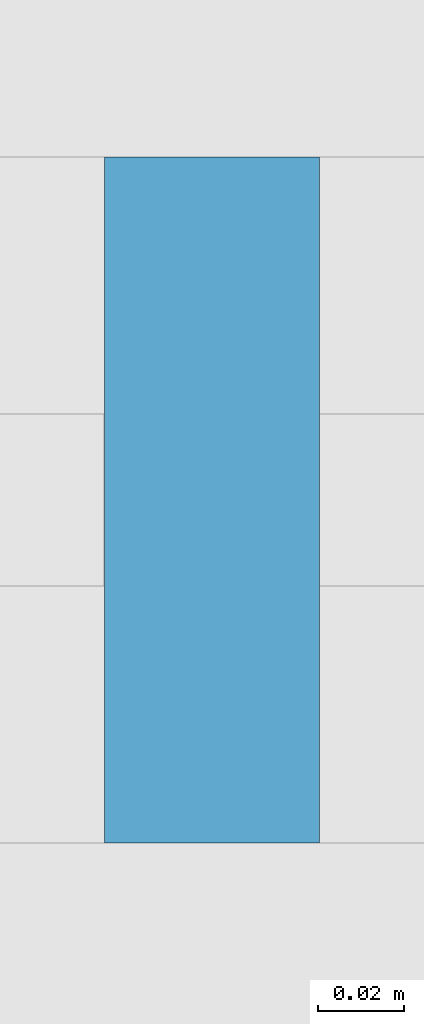
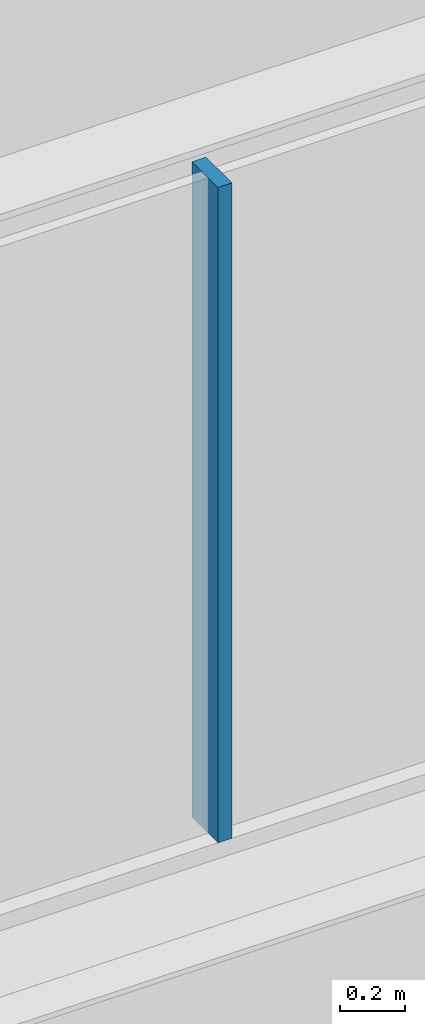
# One storey, part 6 of 12: 1 member, 1 element without a shape of its own.
"""IFC4 building model written with IfcOpenShell, lengths in metres."""

from ifc_helpers import new_model, si_unit, direction, frame, origin, origin_2d, place, context, subcontext, project, spatial, rectangle, extrude, material, material_profile, profile_set, type_object, element, aggregate, save


model = new_model("IFC4")

# Units and contexts
model_context = context("Model", 3, precision=1e-05, world=origin(), true_north=direction((0.0, 1.0)))
body_context = subcontext(model_context, "Body", "Model", "MODEL_VIEW")
ifc_project = project(units=[si_unit("LENGTHUNIT", "METRE"), si_unit("AREAUNIT", "SQUARE_METRE"), si_unit("VOLUMEUNIT", "CUBIC_METRE"), si_unit("PLANEANGLEUNIT", "RADIAN"), si_unit("MASSUNIT", "GRAM", prefix="KILO")], contexts=[model_context])

# Site, building, storey
site_placement = place(None, origin())
site = spatial("IfcSite", under=ifc_project, at=site_placement, CompositionType="ELEMENT")
building_placement = place(site_placement, origin())
building = spatial("IfcBuilding", under=site, at=building_placement, Name="Baori Bourse Tower", CompositionType="ELEMENT")
storey_placement = place(building_placement, frame((0.0, 0.0, 374.300048828125)))
storey = spatial("IfcBuildingStorey", under=building, at=storey_placement, Name="L84", CompositionType="ELEMENT", Elevation=374.300048828125)

# Curtain wall, member
ifc_material_1 = material(Name="Pale anodised aluminium", Category="aluminium")
curtain_wall_type = type_object("IfcCurtainWallType", Name="CW3 Curtain wall", PredefinedType="NOTDEFINED", material=ifc_material_1)
curtain_wall_placement = place(storey_placement, origin())
curtain_wall = element("IfcCurtainWall", 1, at=curtain_wall_placement, inside=storey, type_object=curtain_wall_type, Name="Curtain wall CW3 L84 1", PredefinedType="NOTDEFINED")
ifc_material_2 = material(Name="Pale anodised aluminium", Category="aluminium")
ifc_material_profile = material_profile(ifc_material_2, rectangle(XDim=0.159912109375, YDim=0.050048828125, at=origin_2d()), Name="Mullion 50x160")
ifc_profile_set = profile_set([ifc_material_profile], Name="Pale anodised aluminium")
member_type = type_object("IfcMemberType", Name="CW3 Curtain wall mullion", PredefinedType="MULLION", material=ifc_profile_set)
member_placement = place(storey_placement, frame((33.60009765625, 14.203369140625, 0.06005859375), z_axis=(0.0, 0.0, 1.0), x_axis=(0.0, 1.0, 0.0)))
member = element("IfcMember", 2, at=member_placement, type_object=member_type, Name="Curtain wall CW3 mullion", PredefinedType="MULLION", context=body_context, shape_type="SweptSolid", body=[
    extrude(rectangle(XDim=0.159912109375, YDim=0.050048828125, at=origin_2d()), origin(), (0.0, 0.0, 1.0), 2.469970703125),
])
aggregate(curtain_wall, [member])

save(model, "model.ifc")
